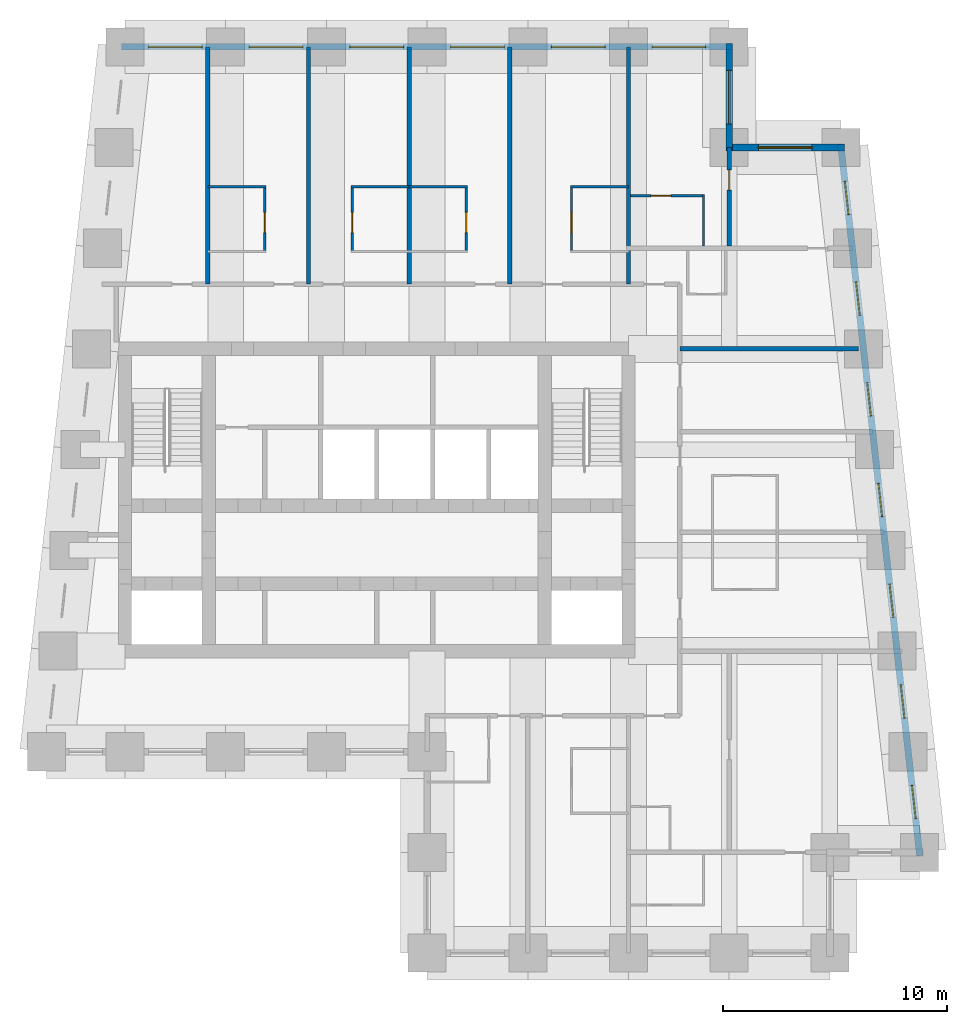
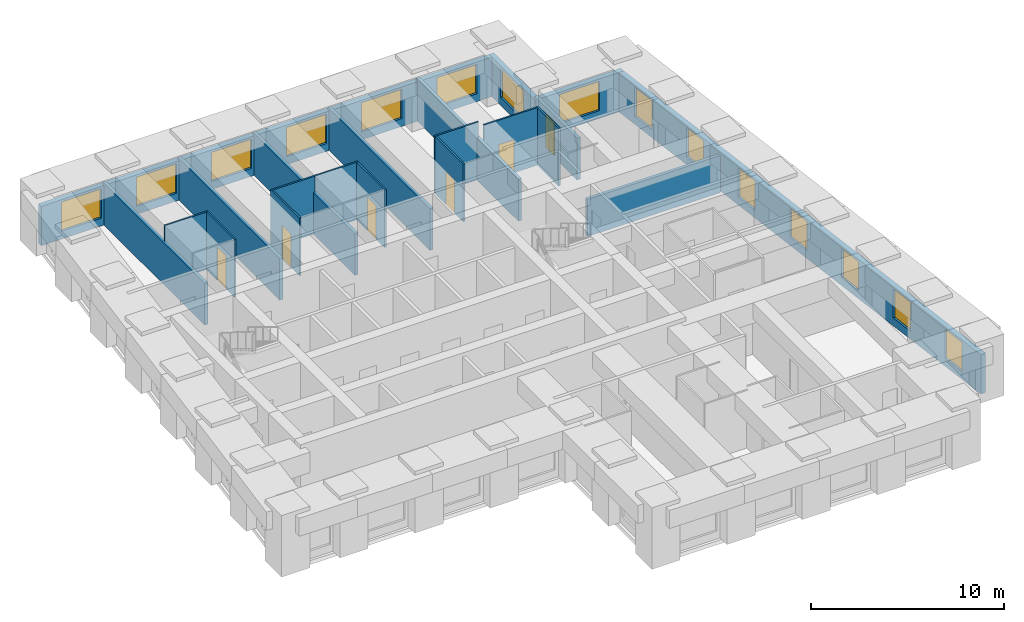
# One storey, part 5 of 7: 21 walls, 15 windows, 6 doors, 21 openings.
"""IFC4 building model written with IfcOpenShell, lengths in metres."""

import ifcopenshell
import ifcopenshell.guid

model = None  # the IFC model being written
_history = None  # IfcOwnerHistory: only IFC2X3 demands one
_inside = {}  # id of a spatial element -> (the spatial element, [elements in it])
_under = {}  # id of a project, library or spatial element -> (it, [spatial elements below it])
_declared = {}  # id of a project -> (the project, [libraries it declares])
_typed = {}  # id of a type object -> (the type object, [elements of that type])
_made_of = {}  # id of a material, layer set ... -> (it, [elements and type objects made of it])


def new_model(schema):
    """Start an empty IFC model of exactly this schema.

    Asked for "IFC4X3", IfcOpenShell would pick the latest addendum, in which some entities
    have other attributes; the version numbers below select the first issue.
    IFC2X3 requires an IfcOwnerHistory on every rooted entity: one is made here for all.
    """
    global model, _history
    if schema == "IFC4X3":
        model = ifcopenshell.file(schema_version=(4, 3, 0, 0))
    else:
        model = ifcopenshell.file(schema=schema)
    _inside.clear()
    _under.clear()
    _declared.clear()
    _typed.clear()
    _made_of.clear()
    _history = None
    if model.schema == "IFC2X3":
        org = make("IfcOrganization", Name="unknown")
        user = make(
            "IfcPersonAndOrganization",
            ThePerson=make("IfcPerson", FamilyName="unknown"),
            TheOrganization=org,
        )
        app = make(
            "IfcApplication",
            ApplicationDeveloper=org,
            Version="unknown",
            ApplicationFullName="unknown",
            ApplicationIdentifier="unknown",
        )
        _history = make(
            "IfcOwnerHistory",
            OwningUser=user,
            OwningApplication=app,
            ChangeAction="ADDED",
            CreationDate=0,
        )
    return model


def make(cls, **values):
    """One entity of the class cls with the attributes given. An attribute that is None is left unset."""
    return model.create_entity(
        cls, **{name: value for name, value in values.items() if value is not None}
    )


def rooted(cls, **values):
    """An entity with a GlobalId (a new one), such as an element, a storey or a relation."""
    return make(cls, GlobalId=ifcopenshell.guid.new(), OwnerHistory=_history, **values)


def si_unit(unit_type, name, prefix=None):
    """IfcSIUnit, for example si_unit("LENGTHUNIT", "METRE", prefix="MILLI")."""
    return make("IfcSIUnit", UnitType=unit_type, Prefix=prefix, Name=name)


def assignment(units):
    """IfcUnitAssignment: the units of a project."""
    return None if units is None else make("IfcUnitAssignment", Units=units)


def point(xyz):
    """IfcCartesianPoint."""
    return None if xyz is None else make("IfcCartesianPoint", Coordinates=xyz)


def direction(xyz):
    """IfcDirection."""
    return None if xyz is None else make("IfcDirection", DirectionRatios=xyz)


def frame(location, z_axis=None, x_axis=None):
    """IfcAxis2Placement3D, a coordinate frame: its origin and axes. An axis left out is left unset."""
    return make(
        "IfcAxis2Placement3D",
        Location=point(location),
        Axis=direction(z_axis),
        RefDirection=direction(x_axis),
    )


def frame_2d(location, x_axis=None):
    """IfcAxis2Placement2D, a coordinate frame in the plane: its origin and x axis."""
    return make(
        "IfcAxis2Placement2D", Location=point(location), RefDirection=direction(x_axis)
    )


def origin():
    """The frame at (0, 0, 0) with its axes left unset."""
    return frame((0.0, 0.0, 0.0))


def place(relative_to, where):
    """IfcLocalPlacement: puts the frame where relative to a parent placement (None: the world)."""
    return make(
        "IfcLocalPlacement", PlacementRelTo=relative_to, RelativePlacement=where
    )


def context(
    kind, dimensions, precision=None, world=None, true_north=None, identifier=None
):
    """IfcGeometricRepresentationContext, for example the 3D "Model" context."""
    return make(
        "IfcGeometricRepresentationContext",
        ContextIdentifier=identifier,
        ContextType=kind,
        CoordinateSpaceDimension=dimensions,
        Precision=precision,
        WorldCoordinateSystem=world,
        TrueNorth=true_north,
    )


def subcontext(parent, identifier, kind, view, scale=None):
    """IfcGeometricRepresentationSubContext, for example "Body" below "Model"."""
    return make(
        "IfcGeometricRepresentationSubContext",
        ContextIdentifier=identifier,
        ContextType=kind,
        ParentContext=parent,
        TargetScale=scale,
        TargetView=view,
    )


def project(units=None, contexts=None):
    """IfcProject with its units and contexts."""
    return rooted(
        "IfcProject",
        Name="project",
        RepresentationContexts=contexts,
        UnitsInContext=assignment(units),
    )


def spatial(cls, under=None, at=None, **own):
    """A site, building, storey or space (cls), placed at a placement, below another one or the project."""
    s = rooted(cls, ObjectPlacement=at, **own)
    if under is not None:
        _under.setdefault(under.id(), (under, []))[1].append(s)
    return s


def profile(cls, at=None, kind="AREA", **sizes):
    """A parametric profile (cls). Its sizes go by their IFC names, for example OverallWidth=200.0."""
    return make(cls, ProfileType=kind, Position=at, **sizes)


def rectangle(**sizes):
    """IfcRectangleProfileDef."""
    return profile("IfcRectangleProfileDef", **sizes)


def extrude(swept, where, along, depth):
    """IfcExtrudedAreaSolid: the profile swept, set in the frame where, extruded along a direction by depth."""
    return make(
        "IfcExtrudedAreaSolid",
        SweptArea=swept,
        Position=where,
        ExtrudedDirection=direction(along),
        Depth=depth,
    )


def shape(context_of_items, identifier, shape_type, items):
    """IfcShapeRepresentation: the items that make up one representation, for example the "Body"."""
    return make(
        "IfcShapeRepresentation",
        ContextOfItems=context_of_items,
        RepresentationIdentifier=identifier,
        RepresentationType=shape_type,
        Items=items,
    )


def material(Name=None, Category=None):
    """IfcMaterial."""
    return make("IfcMaterial", Name=Name, Category=Category)


def layer(
    of_material, thickness, ventilated=None, Name=None, Category=None, Priority=None
):
    """IfcMaterialLayer: one layer of a wall or slab, of a material (None: an air gap)."""
    return make(
        "IfcMaterialLayer",
        Material=of_material,
        LayerThickness=thickness,
        IsVentilated=ventilated,
        Name=Name,
        Category=Category,
        Priority=Priority,
    )


def layer_set(layers, Name=None):
    """IfcMaterialLayerSet."""
    return make("IfcMaterialLayerSet", MaterialLayers=layers, LayerSetName=Name)


def made_of(thing, what):
    """Note that an element or type object is made of a material, layer set ...; save() writes the relation."""
    if what is not None:
        _made_of.setdefault(what.id(), (what, []))[1].append(thing)
    return thing


def type_object(cls, material=None, **own):
    """A type object (cls), such as IfcWallType, which elements share."""
    return made_of(rooted(cls, **own), material)


def element(
    cls,
    number,
    at=None,
    inside=None,
    cuts=None,
    type_object=None,
    material=None,
    context=None,
    identifier="Body",
    shape_type=None,
    held_by="IfcProductDefinitionShape",
    body=None,
    shapes=None,
    **own,
):
    """One element of the class cls, such as IfcWall. Its Tag is "e" and its number.

    at: its placement. inside: the storey or other place that contains it. cuts: it is an
    opening in that element (IfcRelVoidsElement). A single representation is given by context,
    identifier, shape_type and body (its items); several are given by shapes. held_by: the class
    of the entity that holds the representations. save() writes the other relations.
    """
    e = rooted(cls, Tag="e%d" % number, ObjectPlacement=at, **own)
    if body is not None:
        shapes = [shape(context, identifier, shape_type, body)]
    if shapes is not None:
        e.Representation = make(held_by, Representations=shapes)
    if inside is not None:
        _inside.setdefault(inside.id(), (inside, []))[1].append(e)
    if cuts is not None:
        rooted(
            "IfcRelVoidsElement", RelatingBuildingElement=cuts, RelatedOpeningElement=e
        )
    if type_object is not None:
        _typed.setdefault(type_object.id(), (type_object, []))[1].append(e)
    return made_of(e, material)


def fill(opening, filler):
    """IfcRelFillsElement: the door or window that sits in an opening."""
    return rooted(
        "IfcRelFillsElement",
        RelatingOpeningElement=opening,
        RelatedBuildingElement=filler,
    )


def aggregate(whole, parts):
    """IfcRelAggregates: a whole, such as a stair, and the parts it consists of."""
    return rooted("IfcRelAggregates", RelatingObject=whole, RelatedObjects=parts)


def save(model, path):
    """Write the relations noted so far, then the file.

    IfcRelAggregates (storeys below a building ...), IfcRelContainedInSpatialStructure (elements
    in a storey), IfcRelDefinesByType, IfcRelAssociatesMaterial and IfcRelDeclares: one each for
    every whole, place, type object, material and project.
    """
    for whole, parts in _under.values():
        aggregate(whole, parts)
    for where, things in _inside.values():
        rooted(
            "IfcRelContainedInSpatialStructure",
            RelatedElements=things,
            RelatingStructure=where,
        )
    for kind, things in _typed.values():
        rooted("IfcRelDefinesByType", RelatedObjects=things, RelatingType=kind)
    for what, things in _made_of.values():
        rooted("IfcRelAssociatesMaterial", RelatedObjects=things, RelatingMaterial=what)
    for by, libraries in _declared.values():
        rooted("IfcRelDeclares", RelatingContext=by, RelatedDefinitions=libraries)
    model.write(path)


model = new_model("IFC4")

# Units and contexts
model_context = context("Model", 3, precision=1e-05, world=origin(), true_north=direction((0.0, 1.0)))
body_context = subcontext(model_context, "Body", "Model", "MODEL_VIEW")
ifc_project = project(units=[si_unit("LENGTHUNIT", "METRE"), si_unit("AREAUNIT", "SQUARE_METRE"), si_unit("VOLUMEUNIT", "CUBIC_METRE"), si_unit("PLANEANGLEUNIT", "RADIAN"), si_unit("MASSUNIT", "GRAM", prefix="KILO")], contexts=[model_context])

# Site, building, storey
site_placement = place(None, origin())
site = spatial("IfcSite", under=ifc_project, at=site_placement, CompositionType="ELEMENT")
building_placement = place(site_placement, origin())
building = spatial("IfcBuilding", under=site, at=building_placement, Name="Kilele Tower Hotel", CompositionType="ELEMENT")
storey_placement = place(building_placement, frame((0.0, 0.0, 221.300048828125)))
storey = spatial("IfcBuildingStorey", under=building, at=storey_placement, Name="L57", CompositionType="ELEMENT", Elevation=221.300048828125)

# Wall
ifc_material_1 = material(Name="Moisture-resistant board")
ifc_layer_1 = layer(ifc_material_1, 0.10009765625)
ifc_layer_set_1 = layer_set([ifc_layer_1], Name="Moisture-resistant board")
wall_type_1 = type_object("IfcWallType", Name="Bathroom partition 100", PredefinedType="PLUMBINGWALL", material=ifc_layer_set_1)
wall_1_placement = place(storey_placement, frame((17.199951171875, 34.25, 0.0), z_axis=(0.0, 0.0, 1.0), x_axis=(1.0, 0.0, 0.0)))
element("IfcWall", 1, at=wall_1_placement, inside=storey, type_object=wall_type_1, Name="Bathroom partition 100 L57", PredefinedType="PLUMBINGWALL", context=body_context, shape_type="SweptSolid", body=[
    extrude(rectangle(XDim=2.60009765625, YDim=0.10009765625, at=frame_2d((1.300048828125, 0.0))), origin(), (0.0, 0.0, 1.0), 3.64990234375),
])

# Wall, opening, door
wall_2_placement = place(storey_placement, frame((19.75, 31.300048828125, 0.0), z_axis=(0.0, 0.0, 1.0), x_axis=(0.0, 1.0, 0.0)))
wall_2 = element("IfcWall", 2, at=wall_2_placement, inside=storey, type_object=wall_type_1, Name="Bathroom partition 100 L57", PredefinedType="PLUMBINGWALL", context=body_context, shape_type="SweptSolid", body=[
    extrude(rectangle(XDim=3.0, YDim=0.10009765625, at=frame_2d((1.5, 0.0))), origin(), (0.0, 0.0, 1.0), 3.64990234375),
])
opening_1_placement = place(wall_2_placement, frame((1.7998046875, 0.0, 0.0), z_axis=(0.0, 0.0, 1.0), x_axis=(-1.0, 0.0, 0.0)))
opening_1 = element("IfcOpeningElement", 3, at=opening_1_placement, cuts=wall_2, Name="Opening D2A", PredefinedType="OPENING", context=body_context, shape_type="SweptSolid", body=[
    extrude(rectangle(XDim=0.89990234375, YDim=2.10009765625, at=frame_2d((0.449951171875, 1.050048828125))), frame((0.0, 0.06005859375, 0.0), z_axis=(0.0, -1.0, 0.0), x_axis=(1.0, 0.0, 0.0)), (0.0, 0.0, 1.0), 0.1201171875),
])
ifc_material_2 = material(Name="Timber door leaf in hardwood frame", Category="wood")
door_type_1 = type_object("IfcDoorType", Name="Bathroom door 900", OperationType="SINGLE_SWING_LEFT", PredefinedType="DOOR", material=ifc_material_2)
door_1_placement = place(opening_1_placement, origin())
door_1 = element("IfcDoor", 4, at=door_1_placement, inside=storey, type_object=door_type_1, Name="Bathroom door 5708B", OperationType="SINGLE_SWING_RIGHT", OverallHeight=2.10009765625, OverallWidth=0.89990234375, PredefinedType="DOOR", context=body_context, shape_type="SweptSolid", body=[
    extrude(rectangle(XDim=0.89990234375, YDim=2.10009765625, at=frame_2d((0.449951171875, 1.050048828125))), frame((0.0, 0.02490234375, 0.0), z_axis=(0.0, -1.0, 0.0), x_axis=(1.0, 0.0, 0.0)), (0.0, 0.0, 1.0), 0.050048828125),
])
fill(opening_1, door_1)

# Wall
wall_3_placement = place(storey_placement, frame((23.60009765625, 34.25, 0.0), z_axis=(0.0, 0.0, 1.0), x_axis=(1.0, 0.0, 0.0)))
element("IfcWall", 5, at=wall_3_placement, inside=storey, type_object=wall_type_1, Name="Bathroom partition 100 L57", PredefinedType="PLUMBINGWALL", context=body_context, shape_type="SweptSolid", body=[
    extrude(rectangle(XDim=2.599853515625, YDim=0.10009765625, at=frame_2d((1.2998046875, 0.0))), origin(), (0.0, 0.0, 1.0), 3.64990234375),
])

# Wall, opening, door
wall_4_placement = place(storey_placement, frame((23.64990234375, 31.300048828125, 0.0), z_axis=(0.0, 0.0, 1.0), x_axis=(0.0, 1.0, 0.0)))
wall_4 = element("IfcWall", 6, at=wall_4_placement, inside=storey, type_object=wall_type_1, Name="Bathroom partition 100 L57", PredefinedType="PLUMBINGWALL", context=body_context, shape_type="SweptSolid", body=[
    extrude(rectangle(XDim=3.0, YDim=0.10009765625, at=frame_2d((1.5, 0.0))), origin(), (0.0, 0.0, 1.0), 3.64990234375),
])
opening_2_placement = place(wall_4_placement, frame((0.89990234375, 0.0, 0.0)))
opening_2 = element("IfcOpeningElement", 7, at=opening_2_placement, cuts=wall_4, Name="Opening D2A", PredefinedType="OPENING", context=body_context, shape_type="SweptSolid", body=[
    extrude(rectangle(XDim=0.89990234375, YDim=2.10009765625, at=frame_2d((0.449951171875, 1.050048828125))), frame((0.0, 0.06005859375, 0.0), z_axis=(0.0, -1.0, 0.0), x_axis=(1.0, 0.0, 0.0)), (0.0, 0.0, 1.0), 0.1201171875),
])
door_2_placement = place(opening_2_placement, origin())
door_2 = element("IfcDoor", 8, at=door_2_placement, inside=storey, type_object=door_type_1, Name="Bathroom door 5709B", OperationType="SINGLE_SWING_LEFT", OverallHeight=2.10009765625, OverallWidth=0.89990234375, PredefinedType="DOOR", context=body_context, shape_type="SweptSolid", body=[
    extrude(rectangle(XDim=0.89990234375, YDim=2.10009765625, at=frame_2d((0.449951171875, 1.050048828125))), frame((0.0, 0.02490234375, 0.0), z_axis=(0.0, -1.0, 0.0), x_axis=(1.0, 0.0, 0.0)), (0.0, 0.0, 1.0), 0.050048828125),
])
fill(opening_2, door_2)

# Wall
wall_5_placement = place(storey_placement, frame((26.199951171875, 34.25, 0.0), z_axis=(0.0, 0.0, 1.0), x_axis=(1.0, 0.0, 0.0)))
element("IfcWall", 9, at=wall_5_placement, inside=storey, type_object=wall_type_1, Name="Bathroom partition 100 L57", PredefinedType="PLUMBINGWALL", context=body_context, shape_type="SweptSolid", body=[
    extrude(rectangle(XDim=2.60009765625, YDim=0.10009765625, at=frame_2d((1.300048828125, 0.0))), origin(), (0.0, 0.0, 1.0), 3.64990234375),
])

# Wall, opening, door
wall_6_placement = place(storey_placement, frame((28.75, 31.300048828125, 0.0), z_axis=(0.0, 0.0, 1.0), x_axis=(0.0, 1.0, 0.0)))
wall_6 = element("IfcWall", 10, at=wall_6_placement, inside=storey, type_object=wall_type_1, Name="Bathroom partition 100 L57", PredefinedType="PLUMBINGWALL", context=body_context, shape_type="SweptSolid", body=[
    extrude(rectangle(XDim=3.0, YDim=0.10009765625, at=frame_2d((1.5, 0.0))), origin(), (0.0, 0.0, 1.0), 3.64990234375),
])
opening_3_placement = place(wall_6_placement, frame((1.7998046875, 0.0, 0.0), z_axis=(0.0, 0.0, 1.0), x_axis=(-1.0, 0.0, 0.0)))
opening_3 = element("IfcOpeningElement", 11, at=opening_3_placement, cuts=wall_6, Name="Opening D2A", PredefinedType="OPENING", context=body_context, shape_type="SweptSolid", body=[
    extrude(rectangle(XDim=0.89990234375, YDim=2.10009765625, at=frame_2d((0.449951171875, 1.050048828125))), frame((0.0, 0.06005859375, 0.0), z_axis=(0.0, -1.0, 0.0), x_axis=(1.0, 0.0, 0.0)), (0.0, 0.0, 1.0), 0.1201171875),
])
door_3_placement = place(opening_3_placement, origin())
door_3 = element("IfcDoor", 12, at=door_3_placement, inside=storey, type_object=door_type_1, Name="Bathroom door 5710B", OperationType="SINGLE_SWING_RIGHT", OverallHeight=2.10009765625, OverallWidth=0.89990234375, PredefinedType="DOOR", context=body_context, shape_type="SweptSolid", body=[
    extrude(rectangle(XDim=0.89990234375, YDim=2.10009765625, at=frame_2d((0.449951171875, 1.050048828125))), frame((0.0, 0.02490234375, 0.0), z_axis=(0.0, -1.0, 0.0), x_axis=(1.0, 0.0, 0.0)), (0.0, 0.0, 1.0), 0.050048828125),
])
fill(opening_3, door_3)

# Wall
wall_7_placement = place(storey_placement, frame((33.39990234375, 34.25, 0.0), z_axis=(0.0, 0.0, 1.0), x_axis=(1.0, 0.0, 0.0)))
element("IfcWall", 13, at=wall_7_placement, inside=storey, type_object=wall_type_1, Name="Bathroom partition 100 L57", PredefinedType="PLUMBINGWALL", context=body_context, shape_type="SweptSolid", body=[
    extrude(rectangle(XDim=2.60009765625, YDim=0.10009765625, at=frame_2d((1.300048828125, 0.0))), origin(), (0.0, 0.0, 1.0), 3.64990234375),
])

# Wall, opening, door
wall_8_placement = place(storey_placement, frame((33.449951171875, 31.300048828125, 0.0), z_axis=(0.0, 0.0, 1.0), x_axis=(0.0, 1.0, 0.0)))
wall_8 = element("IfcWall", 14, at=wall_8_placement, inside=storey, type_object=wall_type_1, Name="Bathroom partition 100 L57", PredefinedType="PLUMBINGWALL", context=body_context, shape_type="SweptSolid", body=[
    extrude(rectangle(XDim=3.0, YDim=0.10009765625, at=frame_2d((1.5, 0.0))), origin(), (0.0, 0.0, 1.0), 3.64990234375),
])
opening_4_placement = place(wall_8_placement, frame((0.89990234375, 0.0, 0.0)))
opening_4 = element("IfcOpeningElement", 15, at=opening_4_placement, cuts=wall_8, Name="Opening D2A", PredefinedType="OPENING", context=body_context, shape_type="SweptSolid", body=[
    extrude(rectangle(XDim=0.89990234375, YDim=2.10009765625, at=frame_2d((0.449951171875, 1.050048828125))), frame((0.0, 0.06005859375, 0.0), z_axis=(0.0, -1.0, 0.0), x_axis=(1.0, 0.0, 0.0)), (0.0, 0.0, 1.0), 0.1201171875),
])
door_4_placement = place(opening_4_placement, origin())
door_4 = element("IfcDoor", 16, at=door_4_placement, inside=storey, type_object=door_type_1, Name="Bathroom door 5711B", OperationType="SINGLE_SWING_LEFT", OverallHeight=2.10009765625, OverallWidth=0.89990234375, PredefinedType="DOOR", context=body_context, shape_type="SweptSolid", body=[
    extrude(rectangle(XDim=0.89990234375, YDim=2.10009765625, at=frame_2d((0.449951171875, 1.050048828125))), frame((0.0, 0.02490234375, 0.0), z_axis=(0.0, -1.0, 0.0), x_axis=(1.0, 0.0, 0.0)), (0.0, 0.0, 1.0), 0.050048828125),
])
fill(opening_4, door_4)

# Wall
wall_9_placement = place(storey_placement, frame((39.35009765625, 31.60009765625, 0.0), z_axis=(0.0, 0.0, 1.0), x_axis=(0.0, 1.0, 0.0)))
element("IfcWall", 17, at=wall_9_placement, inside=storey, type_object=wall_type_1, Name="Bathroom partition 100 L57", PredefinedType="PLUMBINGWALL", context=body_context, shape_type="SweptSolid", body=[
    extrude(rectangle(XDim=2.2998046875, YDim=0.10009765625, at=frame_2d((1.14990234375, 0.0))), origin(), (0.0, 0.0, 1.0), 3.64990234375),
])

# Wall, opening, door
wall_10_placement = place(storey_placement, frame((36.10009765625, 33.85009765625, 0.0), z_axis=(0.0, 0.0, 1.0), x_axis=(1.0, 0.0, 0.0)))
wall_10 = element("IfcWall", 18, at=wall_10_placement, inside=storey, type_object=wall_type_1, Name="Bathroom partition 100 L57", PredefinedType="PLUMBINGWALL", context=body_context, shape_type="SweptSolid", body=[
    extrude(rectangle(XDim=3.2998046875, YDim=0.10009765625, at=frame_2d((1.64990234375, 0.0))), origin(), (0.0, 0.0, 1.0), 3.64990234375),
])
opening_5_placement = place(wall_10_placement, frame((0.89990234375, 0.0, 0.0)))
opening_5 = element("IfcOpeningElement", 19, at=opening_5_placement, cuts=wall_10, Name="Opening D2A", PredefinedType="OPENING", context=body_context, shape_type="SweptSolid", body=[
    extrude(rectangle(XDim=0.89990234375, YDim=2.10009765625, at=frame_2d((0.449951171875, 1.050048828125))), frame((0.0, 0.06005859375, 0.0), z_axis=(0.0, -1.0, 0.0), x_axis=(1.0, 0.0, 0.0)), (0.0, 0.0, 1.0), 0.1201171875),
])
door_5_placement = place(opening_5_placement, origin())
door_5 = element("IfcDoor", 20, at=door_5_placement, inside=storey, type_object=door_type_1, Name="Bathroom door 5716B", OperationType="SINGLE_SWING_LEFT", OverallHeight=2.10009765625, OverallWidth=0.89990234375, PredefinedType="DOOR", context=body_context, shape_type="SweptSolid", body=[
    extrude(rectangle(XDim=0.89990234375, YDim=2.10009765625, at=frame_2d((0.449951171875, 1.050048828125))), frame((0.0, 0.02490234375, 0.0), z_axis=(0.0, -1.0, 0.0), x_axis=(1.0, 0.0, 0.0)), (0.0, 0.0, 1.0), 0.050048828125),
])
fill(opening_5, door_5)

ifc_material_3 = material(Name="Blockwork, plastered both sides", Category="masonry")
ifc_layer_2 = layer(ifc_material_3, 0.199951171875)
ifc_layer_set_2 = layer_set([ifc_layer_2], Name="Blockwork, plastered both sides")
wall_type_2 = type_object("IfcWallType", Name="Partition wall 200", PredefinedType="PARTITIONING", material=ifc_layer_set_2)
wall_11_placement = place(storey_placement, frame((40.5, 31.60009765625, 0.0), z_axis=(0.0, 0.0, 1.0), x_axis=(0.0, 1.0, 0.0)))
wall_11 = element("IfcWall", 21, at=wall_11_placement, inside=storey, type_object=wall_type_2, Name="Partition wall 200 L57", PredefinedType="PARTITIONING", context=body_context, shape_type="SweptSolid", body=[
    extrude(rectangle(XDim=4.39990234375, YDim=0.199951171875, at=frame_2d((2.199951171875, 0.0))), origin(), (0.0, 0.0, 1.0), 2.64990234375),
])
opening_6_placement = place(wall_11_placement, frame((2.5, 0.0, 0.0)))
opening_6 = element("IfcOpeningElement", 22, at=opening_6_placement, cuts=wall_11, Name="Opening D3", PredefinedType="OPENING", context=body_context, shape_type="SweptSolid", body=[
    extrude(rectangle(XDim=0.89990234375, YDim=2.10009765625, at=frame_2d((0.449951171875, 1.050048828125))), frame((0.0, 0.10986328125, 0.0), z_axis=(0.0, -1.0, 0.0), x_axis=(1.0, 0.0, 0.0)), (0.0, 0.0, 1.0), 0.219970703125),
])
ifc_material_4 = material(Name="Timber door leaf in hardwood frame", Category="wood")
door_type_2 = type_object("IfcDoorType", Name="Suite internal door 900", OperationType="SINGLE_SWING_LEFT", PredefinedType="DOOR", material=ifc_material_4)
door_6_placement = place(opening_6_placement, origin())
door_6 = element("IfcDoor", 23, at=door_6_placement, inside=storey, type_object=door_type_2, Name="Suite door 5717", OperationType="SINGLE_SWING_RIGHT", OverallHeight=2.10009765625, OverallWidth=0.89990234375, PredefinedType="DOOR", context=body_context, shape_type="SweptSolid", body=[
    extrude(rectangle(XDim=0.89990234375, YDim=2.10009765625, at=frame_2d((0.449951171875, 1.050048828125))), frame((0.0, 0.02490234375, 0.0), z_axis=(0.0, -1.0, 0.0), x_axis=(1.0, 0.0, 0.0)), (0.0, 0.0, 1.0), 0.050048828125),
])
fill(opening_6, door_6)

# Walls
ifc_material_5 = material(Name="Blockwork, plastered both sides", Category="masonry")
ifc_layer_3 = layer(ifc_material_5, 0.199951171875)
ifc_layer_set_3 = layer_set([ifc_layer_3], Name="Blockwork, plastered both sides")
wall_type_3 = type_object("IfcWallType", Name="Party wall 200", PredefinedType="PARTITIONING", material=ifc_layer_set_3)
for number, where, z_axis, x_axis, name in (
    (24, (17.199951171875, 29.89990234375, 0.0), (0.0, 0.0, 1.0), (0.0, 1.0, 0.0), "Party wall 200 L57"),
    (25, (21.699951171875, 29.89990234375, 0.0), (0.0, 0.0, 1.0), (0.0, 1.0, 0.0), "Party wall 200 L57"),
    (26, (26.199951171875, 29.89990234375, 0.0), (0.0, 0.0, 1.0), (0.0, 1.0, 0.0), "Party wall 200 L57"),
    (27, (30.699951171875, 29.89990234375, 0.0), (0.0, 0.0, 1.0), (0.0, 1.0, 0.0), "Party wall 200 L57"),
):
    element("IfcWall", number, at=place(storey_placement, frame(where, z_axis=z_axis, x_axis=x_axis)), inside=storey, type_object=wall_type_3, Name=name, PredefinedType="PARTITIONING", context=body_context, shape_type="SweptSolid", body=[
        extrude(rectangle(XDim=10.60009765625, YDim=0.199951171875, at=frame_2d((5.300048828125, 0.0))), origin(), (0.0, 0.0, 1.0), 2.64990234375),
    ])
wall_12_placement = place(storey_placement, frame((38.300048828125, 27.0, 0.0), z_axis=(0.0, 0.0, 1.0), x_axis=(1.0, 0.0, 0.0)))
element("IfcWall", 28, at=wall_12_placement, inside=storey, type_object=wall_type_3, Name="Party wall 200 L57", PredefinedType="PARTITIONING", context=body_context, shape_type="SweptSolid", body=[
    extrude(rectangle(XDim=7.976806640625, YDim=0.199951171875, at=frame_2d((3.98828125, 0.0))), origin(), (0.0, 0.0, 1.0), 2.349853515625),
])
wall_13_placement = place(storey_placement, frame((36.0, 29.89990234375, 0.0), z_axis=(0.0, 0.0, 1.0), x_axis=(0.0, 1.0, 0.0)))
element("IfcWall", 29, at=wall_13_placement, inside=storey, type_object=wall_type_3, Name="Party wall 200 L57", PredefinedType="PARTITIONING", context=body_context, shape_type="SweptSolid", body=[
    extrude(rectangle(XDim=10.60009765625, YDim=0.199951171875, at=frame_2d((5.300048828125, 0.0))), origin(), (0.0, 0.0, 1.0), 2.64990234375),
])

# Wall, openings, windows
ifc_material_6 = material(Name="Concrete C40/50 precast", Category="concrete")
ifc_layer_4 = layer(ifc_material_6, 0.260009765625, Name="Precast backing", Category="LoadBearing")
ifc_material_7 = material(Name="Reconstituted stone finish", Category="masonry")
ifc_layer_5 = layer(ifc_material_7, 0.0400390625, Name="Face mix", Category="Finish")
ifc_layer_set_4 = layer_set([ifc_layer_4, ifc_layer_5], Name="Precast concrete C40/50, reconstituted stone finish")
wall_type_4 = type_object("IfcWallType", Name="Precast stone facade wall 300", PredefinedType="STANDARD", material=ifc_layer_set_4)
wall_14_placement = place(storey_placement, frame((49.0166015625, 4.350830078125, 0.0), z_axis=(0.0, 0.0, 1.0), x_axis=(-0.110433201132, 0.993883548555, 0.0)))
wall_14 = element("IfcWall", 30, at=wall_14_placement, inside=storey, type_object=wall_type_4, Name="Facade wall L57 edge 6", PredefinedType="STANDARD", context=body_context, shape_type="SweptSolid", body=[
    extrude(rectangle(XDim=31.994140625, YDim=0.300048828125, at=frame_2d((15.9970703125, 0.0))), origin(), (0.0, 0.0, 1.0), 2.5),
])
opening_7_placement = place(wall_14_placement, frame((1.6640625, 0.0, 0.5)))
opening_7 = element("IfcOpeningElement", 31, at=opening_7_placement, cuts=wall_14, Name="Opening W4", PredefinedType="OPENING", context=body_context, shape_type="SweptSolid", body=[
    extrude(rectangle(XDim=1.5, YDim=1.85009765625, at=frame_2d((0.75, 0.925048828125))), frame((0.0, 0.159912109375, 0.0), z_axis=(0.0, -1.0, 0.0), x_axis=(1.0, 0.0, 0.0)), (0.0, 0.0, 1.0), 0.320068359375),
])
opening_8_placement = place(wall_14_placement, frame((6.19189453125, 0.0, 0.5)))
opening_8 = element("IfcOpeningElement", 32, at=opening_8_placement, cuts=wall_14, Name="Opening W4", PredefinedType="OPENING", context=body_context, shape_type="SweptSolid", body=[
    extrude(rectangle(XDim=1.5, YDim=1.85009765625, at=frame_2d((0.75, 0.925048828125))), frame((0.0, 0.159912109375, 0.0), z_axis=(0.0, -1.0, 0.0), x_axis=(1.0, 0.0, 0.0)), (0.0, 0.0, 1.0), 0.320068359375),
])
opening_9_placement = place(wall_14_placement, frame((10.718994140625, 0.0, 0.5)))
opening_9 = element("IfcOpeningElement", 33, at=opening_9_placement, cuts=wall_14, Name="Opening W4", PredefinedType="OPENING", context=body_context, shape_type="SweptSolid", body=[
    extrude(rectangle(XDim=1.5, YDim=1.85009765625, at=frame_2d((0.75, 0.925048828125))), frame((0.0, 0.159912109375, 0.0), z_axis=(0.0, -1.0, 0.0), x_axis=(1.0, 0.0, 0.0)), (0.0, 0.0, 1.0), 0.320068359375),
])
opening_10_placement = place(wall_14_placement, frame((15.2470703125, 0.0, 0.5)))
opening_10 = element("IfcOpeningElement", 34, at=opening_10_placement, cuts=wall_14, Name="Opening W4", PredefinedType="OPENING", context=body_context, shape_type="SweptSolid", body=[
    extrude(rectangle(XDim=1.5, YDim=1.85009765625, at=frame_2d((0.75, 0.925048828125))), frame((0.0, 0.159912109375, 0.0), z_axis=(0.0, -1.0, 0.0), x_axis=(1.0, 0.0, 0.0)), (0.0, 0.0, 1.0), 0.320068359375),
])
opening_11_placement = place(wall_14_placement, frame((19.77490234375, 0.0, 0.5)))
opening_11 = element("IfcOpeningElement", 35, at=opening_11_placement, cuts=wall_14, Name="Opening W4", PredefinedType="OPENING", context=body_context, shape_type="SweptSolid", body=[
    extrude(rectangle(XDim=1.5, YDim=1.85009765625, at=frame_2d((0.75, 0.925048828125))), frame((0.0, 0.159912109375, 0.0), z_axis=(0.0, -1.0, 0.0), x_axis=(1.0, 0.0, 0.0)), (0.0, 0.0, 1.0), 0.320068359375),
])
opening_12_placement = place(wall_14_placement, frame((24.302001953125, 0.0, 0.5)))
opening_12 = element("IfcOpeningElement", 36, at=opening_12_placement, cuts=wall_14, Name="Opening W4", PredefinedType="OPENING", context=body_context, shape_type="SweptSolid", body=[
    extrude(rectangle(XDim=1.5, YDim=1.85009765625, at=frame_2d((0.75, 0.925048828125))), frame((0.0, 0.159912109375, 0.0), z_axis=(0.0, -1.0, 0.0), x_axis=(1.0, 0.0, 0.0)), (0.0, 0.0, 1.0), 0.320068359375),
])
opening_13_placement = place(wall_14_placement, frame((28.830078125, 0.0, 0.5)))
opening_13 = element("IfcOpeningElement", 37, at=opening_13_placement, cuts=wall_14, Name="Opening W4", PredefinedType="OPENING", context=body_context, shape_type="SweptSolid", body=[
    extrude(rectangle(XDim=1.5, YDim=1.85009765625, at=frame_2d((0.75, 0.925048828125))), frame((0.0, 0.159912109375, 0.0), z_axis=(0.0, -1.0, 0.0), x_axis=(1.0, 0.0, 0.0)), (0.0, 0.0, 1.0), 0.320068359375),
])
ifc_material_8 = material(Name="Aluminium frame, clear double glazing", Category="aluminium")
window_type_1 = type_object("IfcWindowType", Name="Window W4 1500 x 1850", PartitioningType="SINGLE_PANEL", PredefinedType="WINDOW", material=ifc_material_8)
window_1_placement = place(opening_7_placement, origin())
window_1 = element("IfcWindow", 38, at=window_1_placement, inside=storey, type_object=window_type_1, Name="Window L57", OverallHeight=1.85009765625, OverallWidth=1.5, PartitioningType="SINGLE_PANEL", PredefinedType="WINDOW", context=body_context, shape_type="SweptSolid", body=[
    extrude(rectangle(XDim=1.5, YDim=1.85009765625, at=frame_2d((0.75, 0.925048828125))), frame((0.0, 0.030029296875, 0.0), z_axis=(0.0, -1.0, 0.0), x_axis=(1.0, 0.0, 0.0)), (0.0, 0.0, 1.0), 0.06005859375),
])
fill(opening_7, window_1)
window_2_placement = place(opening_8_placement, origin())
window_2 = element("IfcWindow", 39, at=window_2_placement, inside=storey, type_object=window_type_1, Name="Window L57", OverallHeight=1.85009765625, OverallWidth=1.5, PartitioningType="SINGLE_PANEL", PredefinedType="WINDOW", context=body_context, shape_type="SweptSolid", body=[
    extrude(rectangle(XDim=1.5, YDim=1.85009765625, at=frame_2d((0.75, 0.925048828125))), frame((0.0, 0.030029296875, 0.0), z_axis=(0.0, -1.0, 0.0), x_axis=(1.0, 0.0, 0.0)), (0.0, 0.0, 1.0), 0.06005859375),
])
fill(opening_8, window_2)
window_3_placement = place(opening_9_placement, origin())
window_3 = element("IfcWindow", 40, at=window_3_placement, inside=storey, type_object=window_type_1, Name="Window L57", OverallHeight=1.85009765625, OverallWidth=1.5, PartitioningType="SINGLE_PANEL", PredefinedType="WINDOW", context=body_context, shape_type="SweptSolid", body=[
    extrude(rectangle(XDim=1.5, YDim=1.85009765625, at=frame_2d((0.75, 0.925048828125))), frame((0.0, 0.030029296875, 0.0), z_axis=(0.0, -1.0, 0.0), x_axis=(1.0, 0.0, 0.0)), (0.0, 0.0, 1.0), 0.06005859375),
])
fill(opening_9, window_3)
window_4_placement = place(opening_10_placement, origin())
window_4 = element("IfcWindow", 41, at=window_4_placement, inside=storey, type_object=window_type_1, Name="Window L57", OverallHeight=1.85009765625, OverallWidth=1.5, PartitioningType="SINGLE_PANEL", PredefinedType="WINDOW", context=body_context, shape_type="SweptSolid", body=[
    extrude(rectangle(XDim=1.5, YDim=1.85009765625, at=frame_2d((0.75, 0.925048828125))), frame((0.0, 0.030029296875, 0.0), z_axis=(0.0, -1.0, 0.0), x_axis=(1.0, 0.0, 0.0)), (0.0, 0.0, 1.0), 0.06005859375),
])
fill(opening_10, window_4)
window_5_placement = place(opening_11_placement, origin())
window_5 = element("IfcWindow", 42, at=window_5_placement, inside=storey, type_object=window_type_1, Name="Window L57", OverallHeight=1.85009765625, OverallWidth=1.5, PartitioningType="SINGLE_PANEL", PredefinedType="WINDOW", context=body_context, shape_type="SweptSolid", body=[
    extrude(rectangle(XDim=1.5, YDim=1.85009765625, at=frame_2d((0.75, 0.925048828125))), frame((0.0, 0.030029296875, 0.0), z_axis=(0.0, -1.0, 0.0), x_axis=(1.0, 0.0, 0.0)), (0.0, 0.0, 1.0), 0.06005859375),
])
fill(opening_11, window_5)
window_6_placement = place(opening_12_placement, origin())
window_6 = element("IfcWindow", 43, at=window_6_placement, inside=storey, type_object=window_type_1, Name="Window L57", OverallHeight=1.85009765625, OverallWidth=1.5, PartitioningType="SINGLE_PANEL", PredefinedType="WINDOW", context=body_context, shape_type="SweptSolid", body=[
    extrude(rectangle(XDim=1.5, YDim=1.85009765625, at=frame_2d((0.75, 0.925048828125))), frame((0.0, 0.030029296875, 0.0), z_axis=(0.0, -1.0, 0.0), x_axis=(1.0, 0.0, 0.0)), (0.0, 0.0, 1.0), 0.06005859375),
])
fill(opening_12, window_6)
window_7_placement = place(opening_13_placement, origin())
window_7 = element("IfcWindow", 44, at=window_7_placement, inside=storey, type_object=window_type_1, Name="Window L57", OverallHeight=1.85009765625, OverallWidth=1.5, PartitioningType="SINGLE_PANEL", PredefinedType="WINDOW", context=body_context, shape_type="SweptSolid", body=[
    extrude(rectangle(XDim=1.5, YDim=1.85009765625, at=frame_2d((0.75, 0.925048828125))), frame((0.0, 0.030029296875, 0.0), z_axis=(0.0, -1.0, 0.0), x_axis=(1.0, 0.0, 0.0)), (0.0, 0.0, 1.0), 0.06005859375),
])
fill(opening_13, window_7)

# Wall, opening, window
wall_15_placement = place(storey_placement, frame((45.64990234375, 36.0, 0.0), z_axis=(0.0, 0.0, 1.0), x_axis=(-1.0, 0.0, 0.0)))
wall_15 = element("IfcWall", 45, at=wall_15_placement, inside=storey, type_object=wall_type_4, Name="Facade wall L57 edge 7", PredefinedType="STANDARD", context=body_context, shape_type="SweptSolid", body=[
    extrude(rectangle(XDim=5.2998046875, YDim=0.300048828125, at=frame_2d((2.64990234375, 0.0))), origin(), (0.0, 0.0, 1.0), 2.5),
])
opening_14_placement = place(wall_15_placement, frame((1.449951171875, 0.0, 0.5)))
opening_14 = element("IfcOpeningElement", 46, at=opening_14_placement, cuts=wall_15, Name="Opening W4", PredefinedType="OPENING", context=body_context, shape_type="SweptSolid", body=[
    extrude(rectangle(XDim=2.39990234375, YDim=1.85009765625, at=frame_2d((1.199951171875, 0.925048828125))), frame((0.0, 0.159912109375, 0.0), z_axis=(0.0, -1.0, 0.0), x_axis=(1.0, 0.0, 0.0)), (0.0, 0.0, 1.0), 0.320068359375),
])
ifc_material_9 = material(Name="Aluminium frame, clear double glazing", Category="aluminium")
window_type_2 = type_object("IfcWindowType", Name="Window W4 2400 x 1850", PartitioningType="SINGLE_PANEL", PredefinedType="WINDOW", material=ifc_material_9)
window_8_placement = place(opening_14_placement, origin())
window_8 = element("IfcWindow", 47, at=window_8_placement, inside=storey, type_object=window_type_2, Name="Window L57", OverallHeight=1.85009765625, OverallWidth=2.39990234375, PartitioningType="SINGLE_PANEL", PredefinedType="WINDOW", context=body_context, shape_type="SweptSolid", body=[
    extrude(rectangle(XDim=2.39990234375, YDim=1.85009765625, at=frame_2d((1.199951171875, 0.925048828125))), frame((0.0, 0.030029296875, 0.0), z_axis=(0.0, -1.0, 0.0), x_axis=(1.0, 0.0, 0.0)), (0.0, 0.0, 1.0), 0.06005859375),
])
fill(opening_14, window_8)

wall_16_placement = place(storey_placement, frame((40.5, 35.85009765625, 0.0), z_axis=(0.0, 0.0, 1.0), x_axis=(0.0, 1.0, 0.0)))
wall_16 = element("IfcWall", 48, at=wall_16_placement, inside=storey, type_object=wall_type_4, Name="Facade wall L57 edge 8", PredefinedType="STANDARD", context=body_context, shape_type="SweptSolid", body=[
    extrude(rectangle(XDim=4.7998046875, YDim=0.300048828125, at=frame_2d((2.39990234375, 0.0))), origin(), (0.0, 0.0, 1.0), 2.5),
])
opening_15_placement = place(wall_16_placement, frame((1.199951171875, 0.0, 0.5)))
opening_15 = element("IfcOpeningElement", 49, at=opening_15_placement, cuts=wall_16, Name="Opening W4", PredefinedType="OPENING", context=body_context, shape_type="SweptSolid", body=[
    extrude(rectangle(XDim=2.39990234375, YDim=1.85009765625, at=frame_2d((1.199951171875, 0.925048828125))), frame((0.0, 0.159912109375, 0.0), z_axis=(0.0, -1.0, 0.0), x_axis=(1.0, 0.0, 0.0)), (0.0, 0.0, 1.0), 0.320068359375),
])
window_9_placement = place(opening_15_placement, origin())
window_9 = element("IfcWindow", 50, at=window_9_placement, inside=storey, type_object=window_type_2, Name="Window L57", OverallHeight=1.85009765625, OverallWidth=2.39990234375, PartitioningType="SINGLE_PANEL", PredefinedType="WINDOW", context=body_context, shape_type="SweptSolid", body=[
    extrude(rectangle(XDim=2.39990234375, YDim=1.85009765625, at=frame_2d((1.199951171875, 0.925048828125))), frame((0.0, 0.030029296875, 0.0), z_axis=(0.0, -1.0, 0.0), x_axis=(1.0, 0.0, 0.0)), (0.0, 0.0, 1.0), 0.06005859375),
])
fill(opening_15, window_9)

# Wall, openings, windows
wall_17_placement = place(storey_placement, frame((40.64990234375, 40.5, 0.0), z_axis=(0.0, 0.0, 1.0), x_axis=(-1.0, 0.0, 0.0)))
wall_17 = element("IfcWall", 51, at=wall_17_placement, inside=storey, type_object=wall_type_4, Name="Facade wall L57 edge 9", PredefinedType="STANDARD", context=body_context, shape_type="SweptSolid", body=[
    extrude(rectangle(XDim=27.2998046875, YDim=0.300048828125, at=frame_2d((13.64990234375, 0.0))), origin(), (0.0, 0.0, 1.0), 2.5),
])
opening_16_placement = place(wall_17_placement, frame((1.199951171875, 0.0, 0.5)))
opening_16 = element("IfcOpeningElement", 52, at=opening_16_placement, cuts=wall_17, Name="Opening W4", PredefinedType="OPENING", context=body_context, shape_type="SweptSolid", body=[
    extrude(rectangle(XDim=2.39990234375, YDim=1.85009765625, at=frame_2d((1.199951171875, 0.925048828125))), frame((0.0, 0.159912109375, 0.0), z_axis=(0.0, -1.0, 0.0), x_axis=(1.0, 0.0, 0.0)), (0.0, 0.0, 1.0), 0.320068359375),
])
opening_17_placement = place(wall_17_placement, frame((5.699951171875, 0.0, 0.5)))
opening_17 = element("IfcOpeningElement", 53, at=opening_17_placement, cuts=wall_17, Name="Opening W4", PredefinedType="OPENING", context=body_context, shape_type="SweptSolid", body=[
    extrude(rectangle(XDim=2.39990234375, YDim=1.85009765625, at=frame_2d((1.199951171875, 0.925048828125))), frame((0.0, 0.159912109375, 0.0), z_axis=(0.0, -1.0, 0.0), x_axis=(1.0, 0.0, 0.0)), (0.0, 0.0, 1.0), 0.320068359375),
])
opening_18_placement = place(wall_17_placement, frame((10.199951171875, 0.0, 0.5)))
opening_18 = element("IfcOpeningElement", 54, at=opening_18_placement, cuts=wall_17, Name="Opening W4", PredefinedType="OPENING", context=body_context, shape_type="SweptSolid", body=[
    extrude(rectangle(XDim=2.39990234375, YDim=1.85009765625, at=frame_2d((1.199951171875, 0.925048828125))), frame((0.0, 0.159912109375, 0.0), z_axis=(0.0, -1.0, 0.0), x_axis=(1.0, 0.0, 0.0)), (0.0, 0.0, 1.0), 0.320068359375),
])
opening_19_placement = place(wall_17_placement, frame((14.699951171875, 0.0, 0.5)))
opening_19 = element("IfcOpeningElement", 55, at=opening_19_placement, cuts=wall_17, Name="Opening W4", PredefinedType="OPENING", context=body_context, shape_type="SweptSolid", body=[
    extrude(rectangle(XDim=2.39990234375, YDim=1.85009765625, at=frame_2d((1.199951171875, 0.925048828125))), frame((0.0, 0.159912109375, 0.0), z_axis=(0.0, -1.0, 0.0), x_axis=(1.0, 0.0, 0.0)), (0.0, 0.0, 1.0), 0.320068359375),
])
opening_20_placement = place(wall_17_placement, frame((19.199951171875, 0.0, 0.5)))
opening_20 = element("IfcOpeningElement", 56, at=opening_20_placement, cuts=wall_17, Name="Opening W4", PredefinedType="OPENING", context=body_context, shape_type="SweptSolid", body=[
    extrude(rectangle(XDim=2.39990234375, YDim=1.85009765625, at=frame_2d((1.199951171875, 0.925048828125))), frame((0.0, 0.159912109375, 0.0), z_axis=(0.0, -1.0, 0.0), x_axis=(1.0, 0.0, 0.0)), (0.0, 0.0, 1.0), 0.320068359375),
])
opening_21_placement = place(wall_17_placement, frame((23.699951171875, 0.0, 0.5)))
opening_21 = element("IfcOpeningElement", 57, at=opening_21_placement, cuts=wall_17, Name="Opening W4", PredefinedType="OPENING", context=body_context, shape_type="SweptSolid", body=[
    extrude(rectangle(XDim=2.39990234375, YDim=1.85009765625, at=frame_2d((1.199951171875, 0.925048828125))), frame((0.0, 0.159912109375, 0.0), z_axis=(0.0, -1.0, 0.0), x_axis=(1.0, 0.0, 0.0)), (0.0, 0.0, 1.0), 0.320068359375),
])
window_10_placement = place(opening_16_placement, origin())
window_10 = element("IfcWindow", 58, at=window_10_placement, inside=storey, type_object=window_type_2, Name="Window L57", OverallHeight=1.85009765625, OverallWidth=2.39990234375, PartitioningType="SINGLE_PANEL", PredefinedType="WINDOW", context=body_context, shape_type="SweptSolid", body=[
    extrude(rectangle(XDim=2.39990234375, YDim=1.85009765625, at=frame_2d((1.199951171875, 0.925048828125))), frame((0.0, 0.030029296875, 0.0), z_axis=(0.0, -1.0, 0.0), x_axis=(1.0, 0.0, 0.0)), (0.0, 0.0, 1.0), 0.06005859375),
])
fill(opening_16, window_10)
window_11_placement = place(opening_17_placement, origin())
window_11 = element("IfcWindow", 59, at=window_11_placement, inside=storey, type_object=window_type_2, Name="Window L57", OverallHeight=1.85009765625, OverallWidth=2.39990234375, PartitioningType="SINGLE_PANEL", PredefinedType="WINDOW", context=body_context, shape_type="SweptSolid", body=[
    extrude(rectangle(XDim=2.39990234375, YDim=1.85009765625, at=frame_2d((1.199951171875, 0.925048828125))), frame((0.0, 0.030029296875, 0.0), z_axis=(0.0, -1.0, 0.0), x_axis=(1.0, 0.0, 0.0)), (0.0, 0.0, 1.0), 0.06005859375),
])
fill(opening_17, window_11)
window_12_placement = place(opening_18_placement, origin())
window_12 = element("IfcWindow", 60, at=window_12_placement, inside=storey, type_object=window_type_2, Name="Window L57", OverallHeight=1.85009765625, OverallWidth=2.39990234375, PartitioningType="SINGLE_PANEL", PredefinedType="WINDOW", context=body_context, shape_type="SweptSolid", body=[
    extrude(rectangle(XDim=2.39990234375, YDim=1.85009765625, at=frame_2d((1.199951171875, 0.925048828125))), frame((0.0, 0.030029296875, 0.0), z_axis=(0.0, -1.0, 0.0), x_axis=(1.0, 0.0, 0.0)), (0.0, 0.0, 1.0), 0.06005859375),
])
fill(opening_18, window_12)
window_13_placement = place(opening_19_placement, origin())
window_13 = element("IfcWindow", 61, at=window_13_placement, inside=storey, type_object=window_type_2, Name="Window L57", OverallHeight=1.85009765625, OverallWidth=2.39990234375, PartitioningType="SINGLE_PANEL", PredefinedType="WINDOW", context=body_context, shape_type="SweptSolid", body=[
    extrude(rectangle(XDim=2.39990234375, YDim=1.85009765625, at=frame_2d((1.199951171875, 0.925048828125))), frame((0.0, 0.030029296875, 0.0), z_axis=(0.0, -1.0, 0.0), x_axis=(1.0, 0.0, 0.0)), (0.0, 0.0, 1.0), 0.06005859375),
])
fill(opening_19, window_13)
window_14_placement = place(opening_20_placement, origin())
window_14 = element("IfcWindow", 62, at=window_14_placement, inside=storey, type_object=window_type_2, Name="Window L57", OverallHeight=1.85009765625, OverallWidth=2.39990234375, PartitioningType="SINGLE_PANEL", PredefinedType="WINDOW", context=body_context, shape_type="SweptSolid", body=[
    extrude(rectangle(XDim=2.39990234375, YDim=1.85009765625, at=frame_2d((1.199951171875, 0.925048828125))), frame((0.0, 0.030029296875, 0.0), z_axis=(0.0, -1.0, 0.0), x_axis=(1.0, 0.0, 0.0)), (0.0, 0.0, 1.0), 0.06005859375),
])
fill(opening_20, window_14)
window_15_placement = place(opening_21_placement, origin())
window_15 = element("IfcWindow", 63, at=window_15_placement, inside=storey, type_object=window_type_2, Name="Window L57", OverallHeight=1.85009765625, OverallWidth=2.39990234375, PartitioningType="SINGLE_PANEL", PredefinedType="WINDOW", context=body_context, shape_type="SweptSolid", body=[
    extrude(rectangle(XDim=2.39990234375, YDim=1.85009765625, at=frame_2d((1.199951171875, 0.925048828125))), frame((0.0, 0.030029296875, 0.0), z_axis=(0.0, -1.0, 0.0), x_axis=(1.0, 0.0, 0.0)), (0.0, 0.0, 1.0), 0.06005859375),
])
fill(opening_21, window_15)

save(model, "model.ifc")
